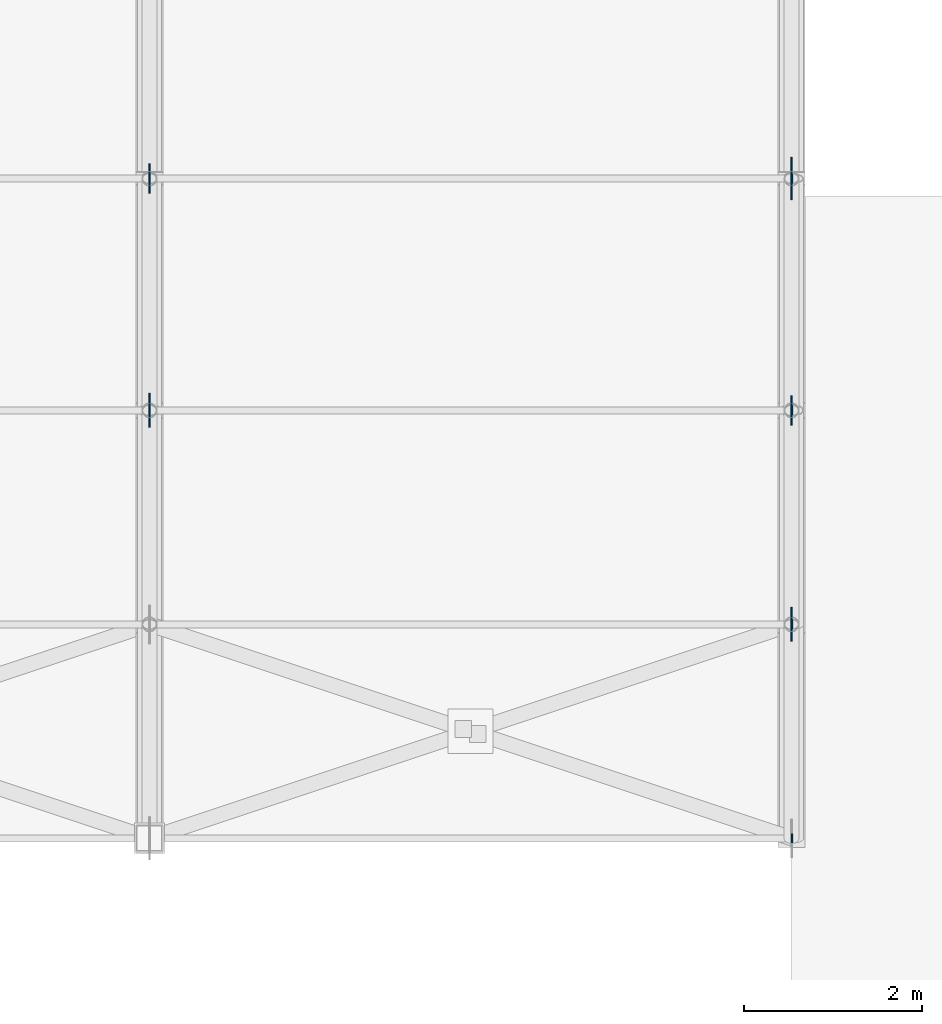
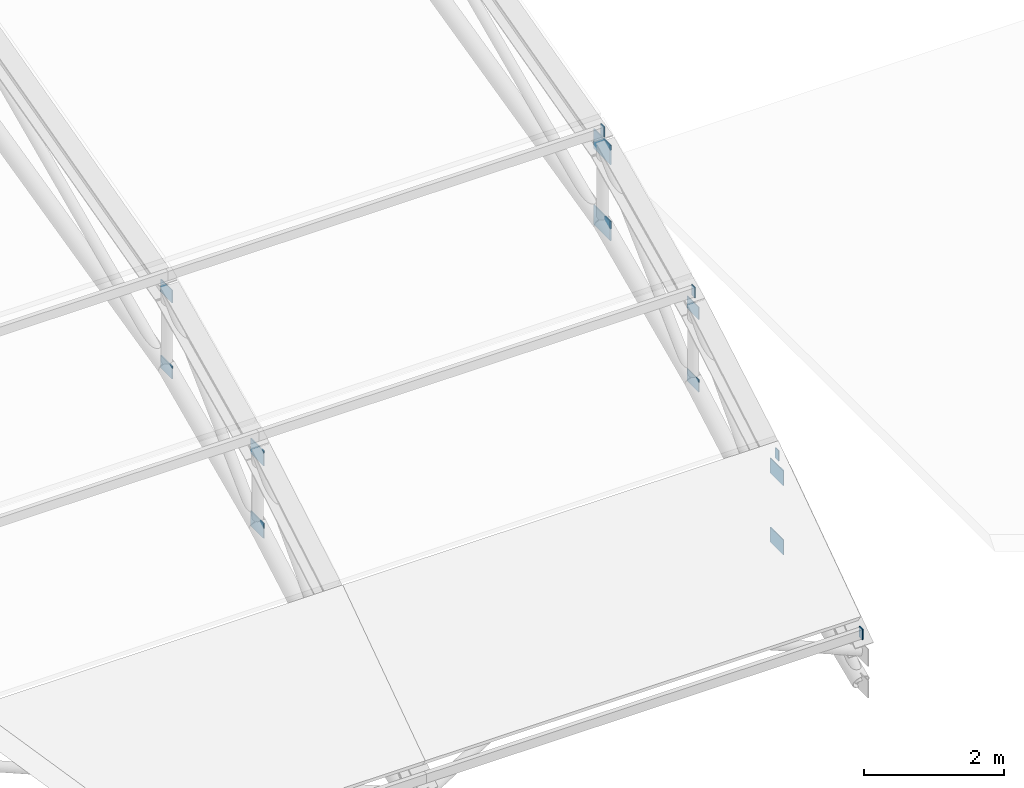
# One storey, part 41 of 63: 14 plates.
"""IFC4 building model written with IfcOpenShell, lengths in metres."""

from ifc_helpers import new_model, si_unit, direction, frame, origin, origin_2d, place, context, subcontext, project, spatial, rectangle, extrude, material, layer, layer_set, type_object, element, save


model = new_model("IFC4")

# Units and contexts
model_context = context("Model", 3, precision=1e-05, world=origin(), true_north=direction((0.0, 1.0)))
body_context = subcontext(model_context, "Body", "Model", "MODEL_VIEW")
ifc_project = project(units=[si_unit("LENGTHUNIT", "METRE"), si_unit("AREAUNIT", "SQUARE_METRE"), si_unit("VOLUMEUNIT", "CUBIC_METRE"), si_unit("PLANEANGLEUNIT", "RADIAN"), si_unit("MASSUNIT", "GRAM", prefix="KILO")], contexts=[model_context])

# Site, building, storey
site_placement = place(None, origin())
site = spatial("IfcSite", under=ifc_project, at=site_placement, CompositionType="ELEMENT")
building_placement = place(site_placement, origin())
building = spatial("IfcBuilding", under=site, at=building_placement, Name="Solvadek Multi-Sports Hall", CompositionType="ELEMENT")
storey_placement = place(building_placement, frame((0.0, 0.0, 19.199951171875)))
storey = spatial("IfcBuildingStorey", under=building, at=storey_placement, Name="RF", CompositionType="ELEMENT", Elevation=19.199951171875)

# Plates
ifc_material = material(Name="Steel E350 (350 MPa)", Category="steel")
ifc_layer_1 = layer(ifc_material, 0.01611328125, Name="Steel E350 (350 MPa)")
ifc_layer_set_1 = layer_set([ifc_layer_1], Name="Steel E350 (350 MPa)")
plate_type_1 = type_object("IfcPlateType", Name="STR-PLT-CAP16", PredefinedType="USERDEFINED", material=ifc_layer_set_1)
for number, where, z_axis, x_axis, name in (
    (1, (57.60400390625, 49.199951171875, -4.03662109375), (0.0, 0.0, 1.0), (1.0, 0.0, 0.0), "V4 Purlin End Cap Plate #48"),
    (2, (57.60400390625, 51.60009765625, -2.37109375), (0.0, 0.0, 1.0), (1.0, 0.0, 0.0), "V4 Purlin End Cap Plate #49"),
    (3, (57.60400390625, 54.0, -0.97216796875), (0.0, 0.0, 1.0), (1.0, 0.0, 0.0), "V4 Purlin End Cap Plate #50"),
    (4, (57.60400390625, 56.60009765625, 0.25634765625), (0.0, 0.0, 1.0), (1.0, 0.0, 0.0), "V4 Purlin End Cap Plate #51"),
):
    element("IfcPlate", number, at=place(storey_placement, frame(where, z_axis=z_axis, x_axis=x_axis)), inside=storey, type_object=plate_type_1, Name=name, ObjectType="BASE_PLATE", PredefinedType="USERDEFINED", context=body_context, shape_type="SweptSolid", body=[
        extrude(rectangle(XDim=0.01611328125, YDim=0.10009765625, at=origin_2d()), origin(), (0.0, 0.0, 1.0), 0.179931640625),
    ])
ifc_layer_2 = layer(ifc_material, 0.013916015625, Name="Steel E350 (350 MPa)")
ifc_layer_set_2 = layer_set([ifc_layer_2], Name="Steel E350 (350 MPa)")
plate_type_2 = type_object("IfcPlateType", Name="STR-PLT-GUS330", PredefinedType="USERDEFINED", material=ifc_layer_set_2)
for number, where, z_axis, x_axis, name in (
    (5, (50.39990234375, 56.60009765625, -0.04736328125), (0.0, 0.0, 1.0), (0.0, 1.0, 0.0), "V4 Truss Top Gusset Plate #229"),
    (6, (50.39990234375, 56.60009765625, -1.376953125), (0.0, 0.0, 1.0), (0.0, 1.0, 0.0), "V4 Truss Bottom Gusset Plate #230"),
    (7, (57.60009765625, 54.0, -1.28515625), (0.0, 0.0, 1.0), (0.0, 1.0, 0.0), "V4 Truss Top Gusset Plate #245"),
    (8, (57.60009765625, 54.0, -2.5517578125), (0.0, 0.0, 1.0), (0.0, 1.0, 0.0), "V4 Truss Bottom Gusset Plate #246"),
):
    element("IfcPlate", number, at=place(storey_placement, frame(where, z_axis=z_axis, x_axis=x_axis)), inside=storey, type_object=plate_type_2, Name=name, ObjectType="GUSSET_PLATE", PredefinedType="USERDEFINED", context=body_context, shape_type="SweptSolid", body=[
        extrude(rectangle(XDim=0.330078125, YDim=0.013916015625, at=origin_2d()), origin(), (0.0, 0.0, 1.0), 0.219970703125),
    ])
ifc_layer_3 = layer(ifc_material, 0.01611328125, Name="Steel E350 (350 MPa)")
ifc_layer_set_3 = layer_set([ifc_layer_3], Name="Steel E350 (350 MPa)")
plate_type_3 = type_object("IfcPlateType", Name="STR-PLT-GUS380", PredefinedType="USERDEFINED", material=ifc_layer_set_3)
for number, where, z_axis, x_axis, name in (
    (9, (50.39990234375, 54.0, -1.30517578125), (0.0, 0.0, 1.0), (0.0, 1.0, 0.0), "V4 Truss Top Gusset Plate #227"),
    (10, (50.39990234375, 54.0, -2.57177734375), (0.0, 0.0, 1.0), (0.0, 1.0, 0.0), "V4 Truss Bottom Gusset Plate #228"),
    (11, (57.60009765625, 51.60009765625, -2.71435546875), (0.0, 0.0, 1.0), (0.0, 1.0, 0.0), "V4 Truss Top Gusset Plate #243"),
    (12, (57.60009765625, 51.60009765625, -3.9228515625), (0.0, 0.0, 1.0), (0.0, 1.0, 0.0), "V4 Truss Bottom Gusset Plate #244"),
):
    element("IfcPlate", number, at=place(storey_placement, frame(where, z_axis=z_axis, x_axis=x_axis)), inside=storey, type_object=plate_type_3, Name=name, ObjectType="GUSSET_PLATE", PredefinedType="USERDEFINED", context=body_context, shape_type="SweptSolid", body=[
        extrude(rectangle(XDim=0.3798828125, YDim=0.01611328125, at=origin_2d()), origin(), (0.0, 0.0, 1.0), 0.260009765625),
    ])
ifc_layer_4 = layer(ifc_material, 0.02001953125, Name="Steel E350 (350 MPa)")
ifc_layer_set_4 = layer_set([ifc_layer_4], Name="Steel E350 (350 MPa)")
plate_type_4 = type_object("IfcPlateType", Name="STR-PLT-GUS480", PredefinedType="USERDEFINED", material=ifc_layer_set_4)
for number, where, z_axis, x_axis, name in (
    (13, (57.60009765625, 56.60009765625, -0.107421875), (0.0, 0.0, 1.0), (0.0, 1.0, 0.0), "V4 Truss Top Gusset Plate #247"),
    (14, (57.60009765625, 56.60009765625, -1.43701171875), (0.0, 0.0, 1.0), (0.0, 1.0, 0.0), "V4 Truss Bottom Gusset Plate #248"),
):
    element("IfcPlate", number, at=place(storey_placement, frame(where, z_axis=z_axis, x_axis=x_axis)), inside=storey, type_object=plate_type_4, Name=name, ObjectType="GUSSET_PLATE", PredefinedType="USERDEFINED", context=body_context, shape_type="SweptSolid", body=[
        extrude(rectangle(XDim=0.47998046875, YDim=0.02001953125, at=origin_2d()), origin(), (0.0, 0.0, 1.0), 0.340087890625),
    ])

save(model, "model.ifc")
